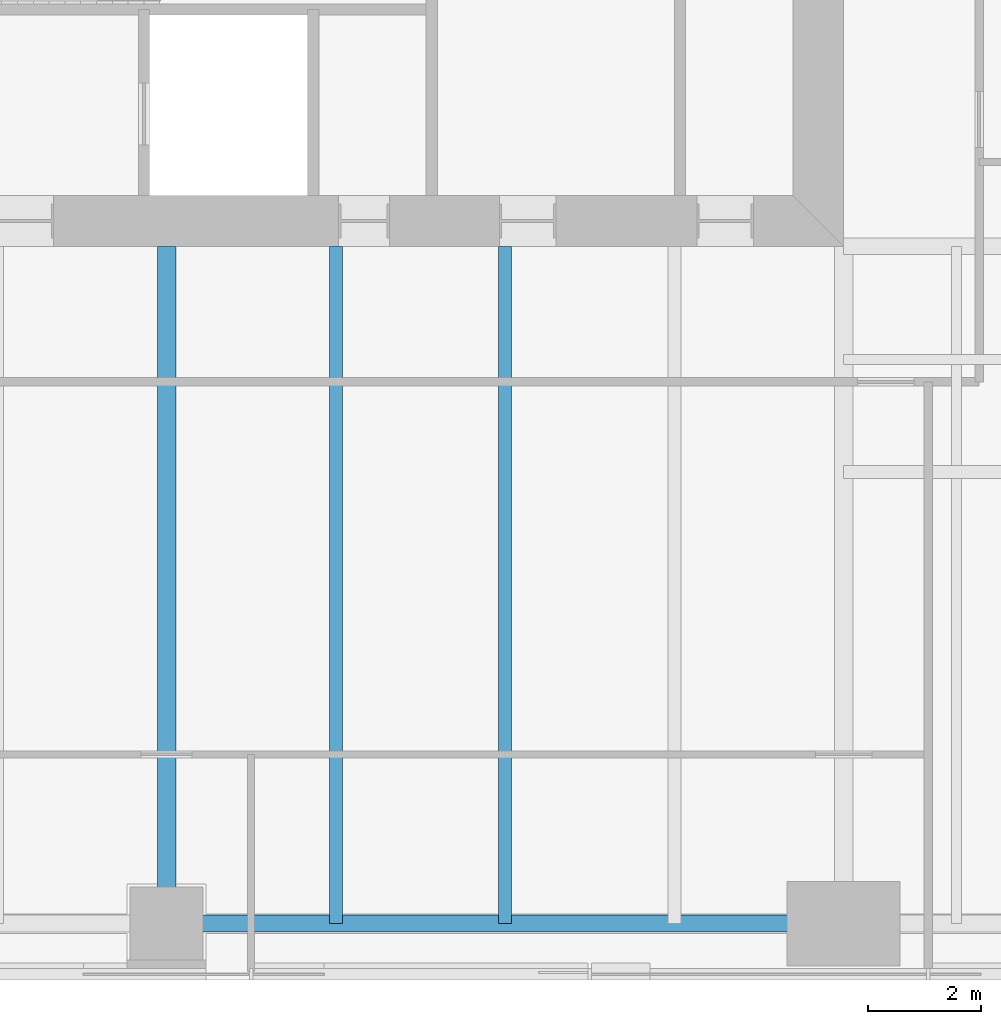
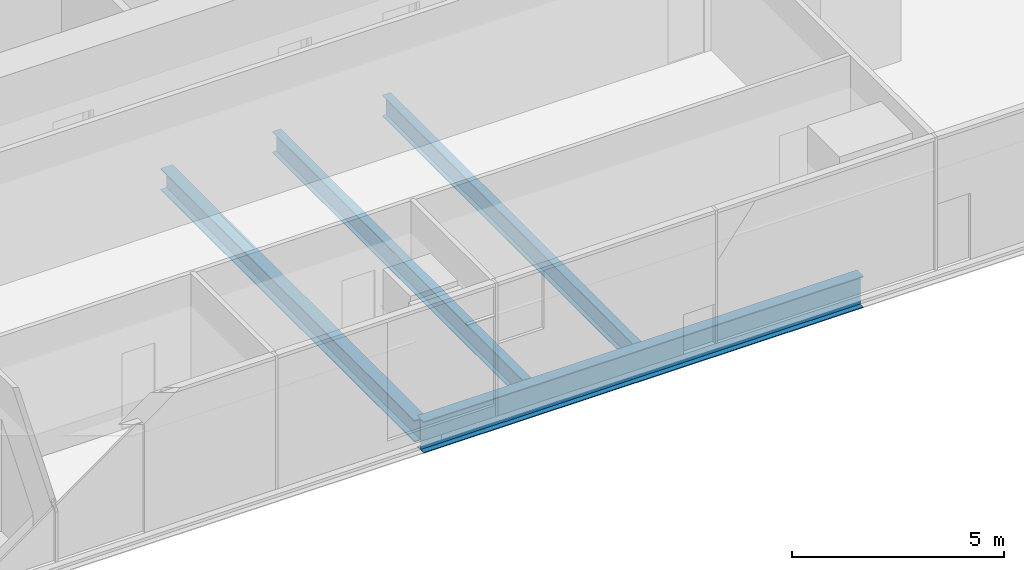
# One storey, part 3 of 14: 4 beams.
"""IFC4 building model written with IfcOpenShell, lengths in metres."""

from ifc_helpers import new_model, si_unit, direction, frame, origin, origin_2d, place, context, subcontext, project, spatial, i_section, extrude, material, material_profile, profile_set, type_object, element, save


model = new_model("IFC4")

# Units and contexts
model_context = context("Model", 3, precision=1e-05, world=origin(), true_north=direction((0.0, 1.0)))
body_context = subcontext(model_context, "Body", "Model", "MODEL_VIEW")
ifc_project = project(units=[si_unit("LENGTHUNIT", "METRE"), si_unit("AREAUNIT", "SQUARE_METRE"), si_unit("VOLUMEUNIT", "CUBIC_METRE"), si_unit("PLANEANGLEUNIT", "RADIAN"), si_unit("MASSUNIT", "GRAM", prefix="KILO")], contexts=[model_context])

# Site, building, storey
site_placement = place(None, origin())
site = spatial("IfcSite", under=ifc_project, at=site_placement, CompositionType="ELEMENT")
building_placement = place(site_placement, origin())
building = spatial("IfcBuilding", under=site, at=building_placement, Name="Fenwick Lantern Interchange", CompositionType="ELEMENT")
storey_placement = place(building_placement, frame((0.0, 0.0, 150.39990234375)))
storey = spatial("IfcBuildingStorey", under=building, at=storey_placement, Name="L35", CompositionType="ELEMENT", Elevation=150.39990234375)

# Beams
ifc_material = material(Name="Steel ASTM A992 Grade 50", Category="steel")
ifc_material_profile_1 = material_profile(ifc_material, i_section(OverallWidth=0.3046875, OverallDepth=0.911865234375, WebThickness=0.015869140625, FlangeThickness=0.02392578125, at=origin_2d()), Name="W36X150")
ifc_profile_set_1 = profile_set([ifc_material_profile_1], Name="Steel ASTM A992 Grade 50")
beam_type_1 = type_object("IfcBeamType", Name="EDGE BEAM W36X150", PredefinedType="SPANDREL", material=ifc_profile_set_1)
beam_1_placement = place(storey_placement, frame((25.0, 1.0, -0.605712890625), z_axis=(1.0, 0.0, 0.0), x_axis=(0.0, 1.0, 0.0)))
element("IfcBeam", 1, at=beam_1_placement, inside=storey, type_object=beam_type_1, Name="L35/FR/S/EB3", PredefinedType="SPANDREL", context=body_context, shape_type="SweptSolid", body=[
    extrude(i_section(OverallWidth=0.3046875, OverallDepth=0.911865234375, WebThickness=0.015869140625, FlangeThickness=0.02392578125, at=origin_2d()), origin(), (0.0, 0.0, 1.0), 12.0),
])
ifc_material_profile_2 = material_profile(ifc_material, i_section(OverallWidth=0.22900390625, OverallDepth=0.612060546875, WebThickness=0.011962890625, FlangeThickness=0.01953125, at=origin_2d()), Name="W24X84")
ifc_profile_set_2 = profile_set([ifc_material_profile_2], Name="Steel ASTM A992 Grade 50")
beam_type_2 = type_object("IfcBeamType", Name="FLOOR BEAM W24X84", PredefinedType="BEAM", material=ifc_profile_set_2)
for number, where, z_axis, x_axis, name in (
    (2, (28.0, 1.0, -0.4560546875), (0.0, 1.0, 0.0), (-1.0, 0.0, 0.0), "L35/FR/S/R06"),
    (3, (31.0, 1.0, -0.4560546875), (0.0, 1.0, 0.0), (-1.0, 0.0, 0.0), "L35/FR/S/R07"),
):
    element("IfcBeam", number, at=place(storey_placement, frame(where, z_axis=z_axis, x_axis=x_axis)), inside=storey, type_object=beam_type_2, Name=name, PredefinedType="BEAM", context=body_context, shape_type="SweptSolid", body=[
        extrude(i_section(OverallWidth=0.22900390625, OverallDepth=0.612060546875, WebThickness=0.011962890625, FlangeThickness=0.01953125, at=origin_2d()), origin(), (0.0, 0.0, 1.0), 12.0),
    ])
ifc_material_profile_3 = material_profile(ifc_material, i_section(OverallWidth=0.32763671875, OverallDepth=0.622314453125, WebThickness=0.015380859375, FlangeThickness=0.0244140625, at=origin_2d()), Name="W24X131")
ifc_profile_set_3 = profile_set([ifc_material_profile_3], Name="Steel ASTM A992 Grade 50")
beam_type_3 = type_object("IfcBeamType", Name="MOMENT-CONNECTED GIRDER W24X131", PredefinedType="BEAM", material=ifc_profile_set_3)
beam_2_placement = place(storey_placement, frame((25.0, 1.0, -0.4609375), z_axis=(0.0, 1.0, 0.0), x_axis=(-1.0, 0.0, 0.0)))
element("IfcBeam", 4, at=beam_2_placement, inside=storey, type_object=beam_type_3, Name="L35/FR/S/R05", PredefinedType="BEAM", context=body_context, shape_type="SweptSolid", body=[
    extrude(i_section(OverallWidth=0.32763671875, OverallDepth=0.622314453125, WebThickness=0.015380859375, FlangeThickness=0.0244140625, at=origin_2d()), origin(), (0.0, 0.0, 1.0), 12.0),
])

save(model, "model.ifc")
